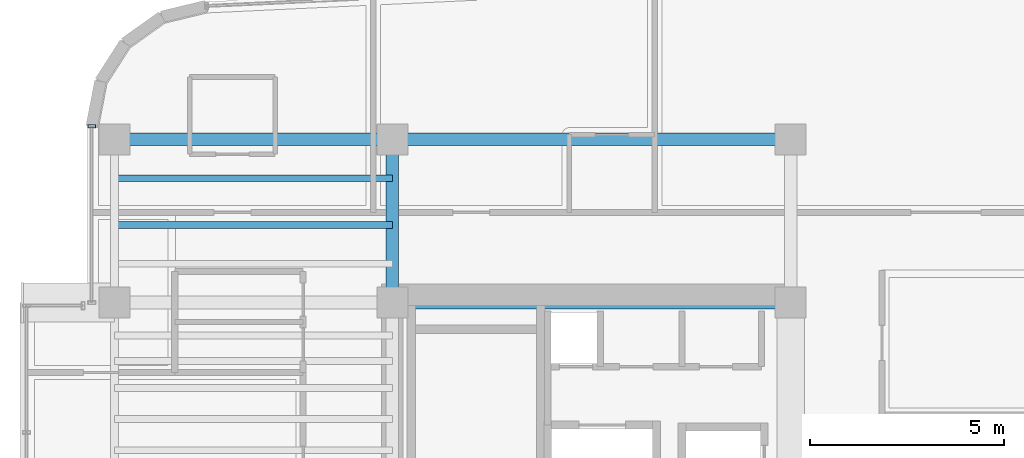
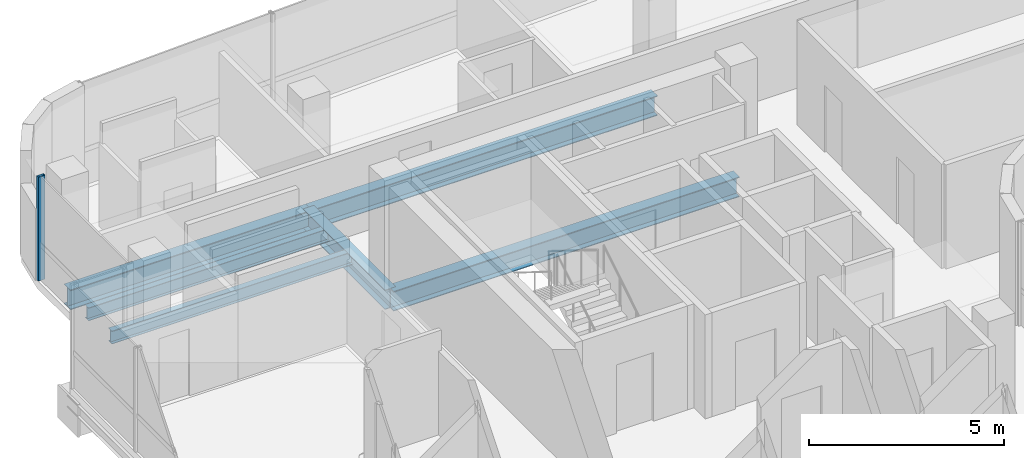
# One storey, part 7 of 20: 6 beams, 1 member, 1 element without a shape of its own.
"""IFC4 building model written with IfcOpenShell, lengths in metres."""

from ifc_helpers import new_model, si_unit, direction, frame, origin, origin_2d, place, context, subcontext, project, spatial, hollow_rectangle, i_section, extrude, source, transform, mapped, material, material_profile, profile_set, type_object, element, aggregate, save


model = new_model("IFC4")

# Units and contexts
model_context = context("Model", 3, precision=1e-05, world=origin(), true_north=direction((0.0, 1.0)))
body_context = subcontext(model_context, "Body", "Model", "MODEL_VIEW")
ifc_project = project(units=[si_unit("LENGTHUNIT", "METRE"), si_unit("AREAUNIT", "SQUARE_METRE"), si_unit("VOLUMEUNIT", "CUBIC_METRE"), si_unit("PLANEANGLEUNIT", "RADIAN"), si_unit("MASSUNIT", "GRAM", prefix="KILO")], contexts=[model_context])

# Site, building, storey
site_placement = place(None, origin())
site = spatial("IfcSite", under=ifc_project, at=site_placement, CompositionType="ELEMENT")
building_placement = place(site_placement, origin())
building = spatial("IfcBuilding", under=site, at=building_placement, Name="Valdorenza Pilgrim Sanctuary Tower", CompositionType="ELEMENT")
storey_placement = place(building_placement, frame((0.0, 0.0, 280.0)))
storey = spatial("IfcBuildingStorey", under=building, at=storey_placement, Name="L73", CompositionType="ELEMENT", Elevation=280.0)

# Beams
ifc_material_1 = material(Name="Steel ASTM A992 Grade 50", Category="steel")
ifc_material_profile_1 = material_profile(ifc_material_1, i_section(OverallWidth=0.323974609375, OverallDepth=0.611083984375, WebThickness=0.0126953125, FlangeThickness=0.01904296875, at=origin_2d()), Name="W24X104")
ifc_profile_set_1 = profile_set([ifc_material_profile_1], Name="Steel ASTM A992 Grade 50")
beam_type_1 = type_object("IfcBeamType", Name="STR-BM-GRD-W24B", PredefinedType="BEAM", material=ifc_profile_set_1)
shared_shape_1 = source(origin(), body_context, "Body", "SweptSolid", [
    extrude(i_section(OverallWidth=0.323974609375, OverallDepth=0.611083984375, WebThickness=0.0126953125, FlangeThickness=0.01904296875, at=origin_2d()), origin(), (0.0, 0.0, 1.0), 4.199951171875),
])
beam_1_placement = place(storey_placement, frame((-22.64990234375, 10.60009765625, -0.54541015625), z_axis=(0.0, 1.0, 0.0), x_axis=(-1.0, 0.0, 0.0)))
element("IfcBeam", 1, at=beam_1_placement, inside=storey, type_object=beam_type_1, Name="L73 Core Tie Girder CA-W-N1N2", PredefinedType="BEAM", context=body_context, shape_type="MappedRepresentation", body=[
    mapped(shared_shape_1, transform((0.0, 0.0, 0.0), x_axis=(1.0, 0.0, 0.0), y_axis=(0.0, 1.0, 0.0), z_axis=(0.0, 0.0, 1.0), scale=1.0)),
])
ifc_material_profile_2 = material_profile(ifc_material_1, i_section(OverallWidth=0.177978515625, OverallDepth=0.406005859375, WebThickness=0.0078125, FlangeThickness=0.0126953125, at=origin_2d()), Name="W16X40")
ifc_profile_set_2 = profile_set([ifc_material_profile_2], Name="Steel ASTM A992 Grade 50")
beam_type_2 = type_object("IfcBeamType", Name="STR-BM-JST-W16", PredefinedType="JOIST", material=ifc_profile_set_2)
shared_shape_2 = source(origin(), body_context, "Body", "SweptSolid", [
    extrude(i_section(OverallWidth=0.177978515625, OverallDepth=0.406005859375, WebThickness=0.0078125, FlangeThickness=0.0126953125, at=origin_2d()), origin(), (0.0, 0.0, 1.0), 7.150146484375),
])
for number, where, z_axis, x_axis, name in (
    (2, (-29.800048828125, 12.60009765625, -0.443115234375), (1.0, 0.0, 0.0), (0.0, 1.0, 0.0), "L73 Composite Floor Joist JST-WA-25"),
    (3, (-29.800048828125, 13.800048828125, -0.443115234375), (1.0, 0.0, 0.0), (0.0, 1.0, 0.0), "L73 Composite Floor Joist JST-WA-26"),
):
    element("IfcBeam", number, at=place(storey_placement, frame(where, z_axis=z_axis, x_axis=x_axis)), inside=storey, type_object=beam_type_2, Name=name, PredefinedType="JOIST", context=body_context, shape_type="MappedRepresentation", body=[
        mapped(shared_shape_2, transform((0.0, 0.0, 0.0), x_axis=(1.0, 0.0, 0.0), y_axis=(0.0, 1.0, 0.0), z_axis=(0.0, 0.0, 1.0), scale=1.0)),
    ])
ifc_material_profile_3 = material_profile(ifc_material_1, i_section(OverallWidth=0.326904296875, OverallDepth=0.6220703125, WebThickness=0.015380859375, FlangeThickness=0.0244140625, at=origin_2d()), Name="W24X131")
ifc_profile_set_3 = profile_set([ifc_material_profile_3], Name="Steel ASTM A992 Grade 50")
beam_type_3 = type_object("IfcBeamType", Name="STR-BM-GRD-W24A", PredefinedType="BEAM", material=ifc_profile_set_3)
shared_shape_3 = source(origin(), body_context, "Body", "SweptSolid", [
    extrude(i_section(OverallWidth=0.326904296875, OverallDepth=0.6220703125, WebThickness=0.015380859375, FlangeThickness=0.0244140625, at=origin_2d()), origin(), (0.0, 0.0, 1.0), 7.150146484375),
])
beam_2_placement = place(storey_placement, frame((-29.800048828125, 14.800048828125, -0.551025390625), z_axis=(1.0, 0.0, 0.0), x_axis=(0.0, 1.0, 0.0)))
element("IfcBeam", 4, at=beam_2_placement, inside=storey, type_object=beam_type_3, Name="L73 Floor Girder WA-XW-N2", PredefinedType="BEAM", context=body_context, shape_type="MappedRepresentation", body=[
    mapped(shared_shape_3, transform((0.0, 0.0, 0.0), x_axis=(1.0, 0.0, 0.0), y_axis=(0.0, 1.0, 0.0), z_axis=(0.0, 0.0, 1.0), scale=1.0)),
])
shared_shape_4 = source(origin(), body_context, "Body", "SweptSolid", [
    extrude(i_section(OverallWidth=0.326904296875, OverallDepth=0.6220703125, WebThickness=0.015380859375, FlangeThickness=0.0244140625, at=origin_2d()), origin(), (0.0, 0.0, 1.0), 10.25),
])
for number, where, z_axis, x_axis, name in (
    (5, (-22.64990234375, 10.60009765625, -0.551025390625), (1.0, 0.0, 0.0), (0.0, 1.0, 0.0), "L73 Floor Girder CA-XC-N1"),
    (6, (-22.64990234375, 14.800048828125, -0.551025390625), (1.0, 0.0, 0.0), (0.0, 1.0, 0.0), "L73 Floor Girder CA-XC-N2"),
):
    element("IfcBeam", number, at=place(storey_placement, frame(where, z_axis=z_axis, x_axis=x_axis)), inside=storey, type_object=beam_type_3, Name=name, PredefinedType="BEAM", context=body_context, shape_type="MappedRepresentation", body=[
        mapped(shared_shape_4, transform((0.0, 0.0, 0.0), x_axis=(1.0, 0.0, 0.0), y_axis=(0.0, 1.0, 0.0), z_axis=(0.0, 0.0, 1.0), scale=1.0)),
    ])

# Curtain wall, member
ifc_material_2 = material(Name="Curtain-wall IGU glazing", Category="glass")
curtain_wall_type = type_object("IfcCurtainWallType", Name="CW-SYS-02", PredefinedType="NOTDEFINED", material=ifc_material_2)
curtain_wall_placement = place(storey_placement, origin())
curtain_wall = element("IfcCurtainWall", 7, at=curtain_wall_placement, inside=storey, type_object=curtain_wall_type, Name="L73 Curtain Wall CW-L73-1-1S2", PredefinedType="NOTDEFINED")
ifc_material_3 = material(Name="Anodised aluminium AW-6060", Category="aluminium")
ifc_material_profile_4 = material_profile(ifc_material_3, hollow_rectangle(XDim=0.0849609375, YDim=0.199951171875, WallThickness=0.0048828125, at=origin_2d()), Name="ALU-M 200x85x5")
ifc_profile_set_4 = profile_set([ifc_material_profile_4], Name="Anodised aluminium AW-6060")
member_type = type_object("IfcMemberType", Name="CW-MUL-02", PredefinedType="MULLION", material=ifc_profile_set_4)
shared_shape_5 = source(origin(), body_context, "Body", "SweptSolid", [
    extrude(hollow_rectangle(XDim=0.0849609375, YDim=0.199951171875, WallThickness=0.0048828125, at=origin_2d()), origin(), (0.0, 0.0, 1.0), 3.260009765625),
])
member_placement = place(storey_placement, frame((-30.389892578125, 15.13671875, 0.0), z_axis=(0.0, 0.0, 1.0), x_axis=(0.0, 1.0, 0.0)))
member = element("IfcMember", 8, at=member_placement, type_object=member_type, Name="CW-L73-1-1S2 Mullion 2", PredefinedType="MULLION", context=body_context, shape_type="MappedRepresentation", body=[
    mapped(shared_shape_5, transform((0.0, 0.0, 0.0), x_axis=(1.0, 0.0, 0.0), y_axis=(0.0, 1.0, 0.0), z_axis=(0.0, 0.0, 1.0), scale=1.0)),
])
aggregate(curtain_wall, [member])

save(model, "model.ifc")
